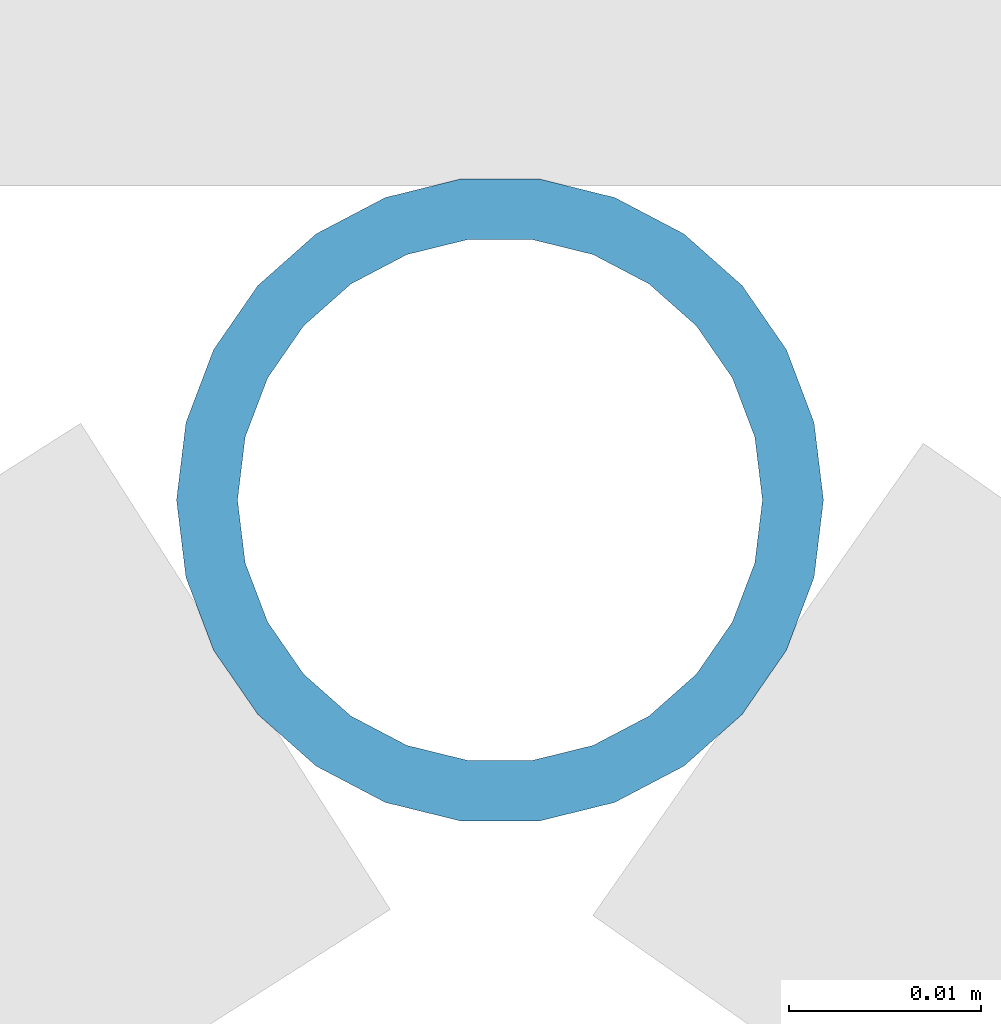
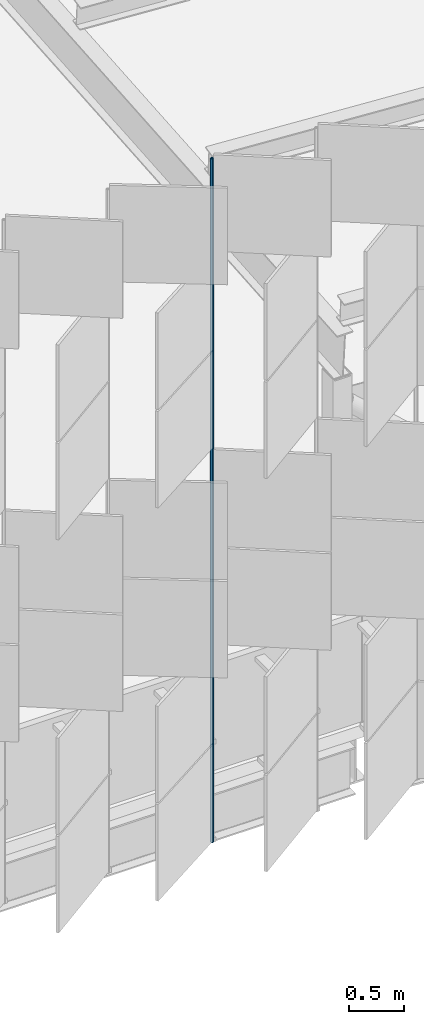
# One storey, part 235 of 483: 1 discrete accessory.
"""IFC4 building model written with IfcOpenShell, lengths in metres."""

from ifc_helpers import new_model, si_unit, direction, frame, origin, origin_2d, place, context, subcontext, project, spatial, hollow_circle, extrude, material, material_profile, profile_set, type_object, element, save


model = new_model("IFC4")

# Units and contexts
model_context = context("Model", 3, precision=1e-05, world=origin(), true_north=direction((0.0, 1.0)))
body_context = subcontext(model_context, "Body", "Model", "MODEL_VIEW")
ifc_project = project(units=[si_unit("LENGTHUNIT", "METRE"), si_unit("AREAUNIT", "SQUARE_METRE"), si_unit("VOLUMEUNIT", "CUBIC_METRE"), si_unit("PLANEANGLEUNIT", "RADIAN"), si_unit("MASSUNIT", "GRAM", prefix="KILO")], contexts=[model_context])

# Site, building, storey
site_placement = place(None, origin())
site = spatial("IfcSite", under=ifc_project, at=site_placement, CompositionType="ELEMENT")
building_placement = place(site_placement, origin())
building = spatial("IfcBuilding", under=site, at=building_placement, Name="Parallax Yard Mobility Hub", CompositionType="ELEMENT")
storey_placement = place(building_placement, frame((0.0, 0.0, 13.199951171875)))
storey = spatial("IfcBuildingStorey", under=building, at=storey_placement, Name="L04", CompositionType="ELEMENT", Elevation=13.199951171875)

# Discrete accessory
ifc_material = material(Name="Steel ASTM A500 Gr C, hot-dip galvanised", Category="steel")
ifc_material_profile = material_profile(ifc_material, hollow_circle(Radius=0.016845703125, WallThickness=0.003173828125, at=origin_2d()), Name="CHS 33.7x3.2")
ifc_profile_set = profile_set([ifc_material_profile], Name="Steel ASTM A500 Gr C, hot-dip galvanised")
discrete_accessory_type = type_object("IfcDiscreteAccessoryType", Name="Hinge post CHS 33.7x3.2", PredefinedType="BRACKET", material=ifc_profile_set)
discrete_accessory_placement = place(storey_placement, frame((170.35205078125, 111.569580078125, 0.0), z_axis=(0.0, 0.0, 1.0), x_axis=(1.0, 0.0, 0.0)))
element("IfcDiscreteAccessory", 1, at=discrete_accessory_placement, inside=storey, type_object=discrete_accessory_type, Name="Hinge post bay 17.6 level L04", PredefinedType="BRACKET", context=body_context, shape_type="SweptSolid", body=[
    extrude(hollow_circle(Radius=0.016845703125, WallThickness=0.003173828125, at=origin_2d()), origin(), (0.0, 0.0, 1.0), 7.650146484375),
])

save(model, "model.ifc")
